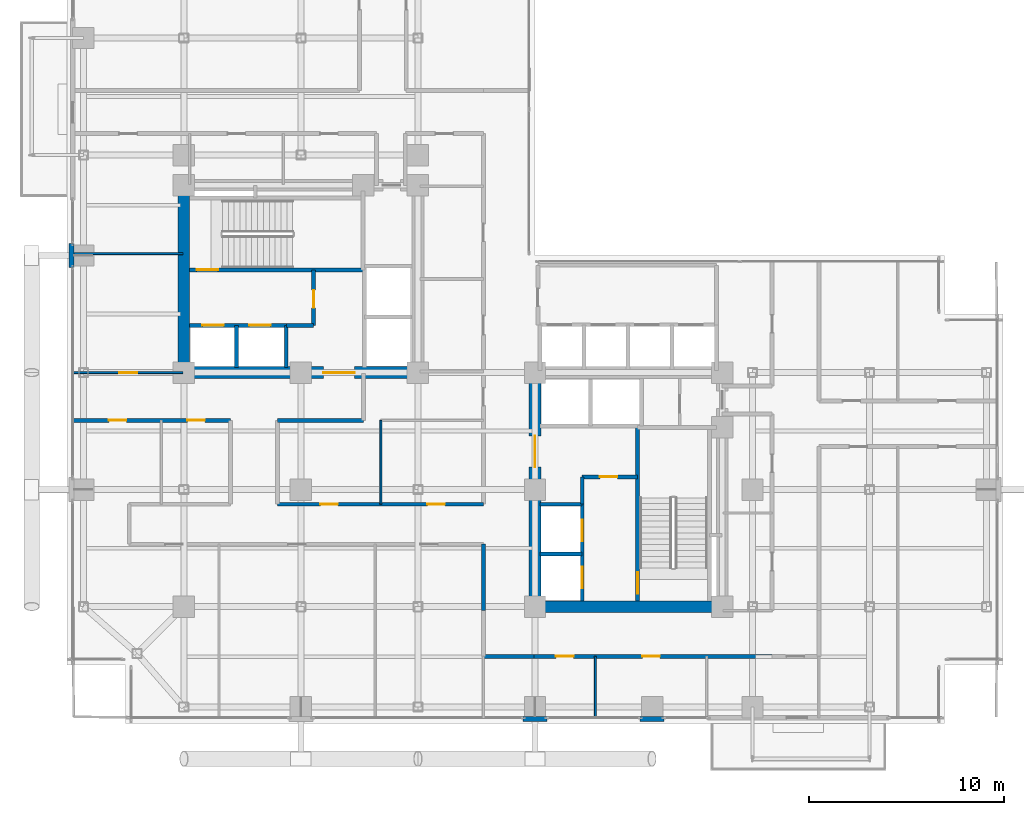
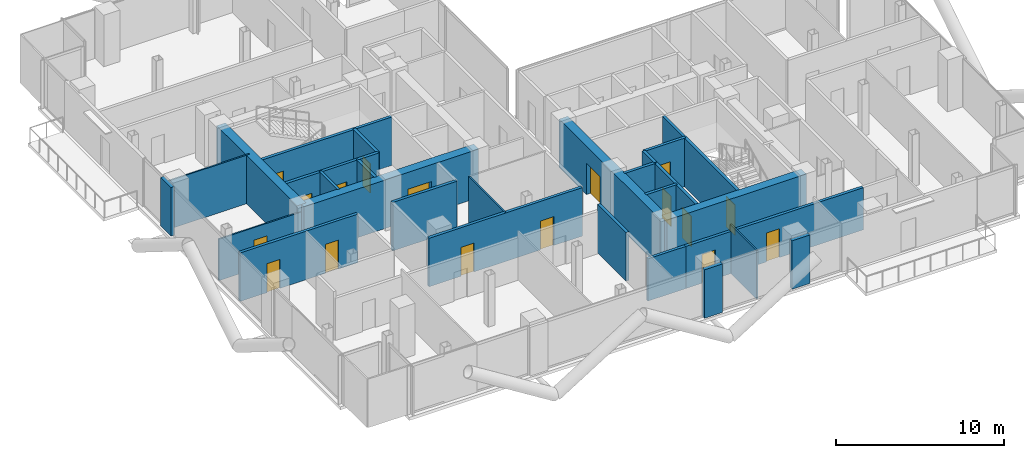
# One storey, part 22 of 28: 29 walls, 17 doors, 17 openings.
"""IFC4 building model written with IfcOpenShell, lengths in metres."""

from ifc_helpers import new_model, si_unit, direction, frame, frame_2d, origin, place, context, subcontext, project, spatial, rectangle, extrude, material, layer, layer_set, type_object, element, fill, save


model = new_model("IFC4")

# Units and contexts
model_context = context("Model", 3, precision=1e-05, world=origin(), true_north=direction((0.0, 1.0)))
body_context = subcontext(model_context, "Body", "Model", "MODEL_VIEW")
ifc_project = project(units=[si_unit("LENGTHUNIT", "METRE"), si_unit("AREAUNIT", "SQUARE_METRE"), si_unit("VOLUMEUNIT", "CUBIC_METRE"), si_unit("PLANEANGLEUNIT", "RADIAN"), si_unit("MASSUNIT", "GRAM", prefix="KILO"), si_unit("THERMODYNAMICTEMPERATUREUNIT", "KELVIN"), si_unit("POWERUNIT", "WATT")], contexts=[model_context])

# Site, building, storey
site_placement = place(None, origin())
site = spatial("IfcSite", under=ifc_project, at=site_placement, CompositionType="ELEMENT")
building_placement = place(site_placement, origin())
building = spatial("IfcBuilding", under=site, at=building_placement, Name="Svarakhadi Broadcast Tower", CompositionType="ELEMENT")
storey_placement = place(building_placement, frame((0.0, 0.0, 138.14990234375)))
storey = spatial("IfcBuildingStorey", under=building, at=storey_placement, Name="L33", CompositionType="ELEMENT", Elevation=138.14990234375)

# Wall, openings, doors
ifc_material_1 = material(Name="Double-Stud Acoustic Studio Partition STC-62", Category="gypsum")
ifc_layer_1 = layer(ifc_material_1, 0.199951171875)
ifc_layer_set_1 = layer_set([ifc_layer_1], Name="Double-Stud Acoustic Studio Partition STC-62")
wall_type_1 = type_object("IfcWallType", Name="Wall_Acoust_200", PredefinedType="PARTITIONING", material=ifc_layer_set_1)
wall_1_placement = place(storey_placement, frame((36.14990234375, 3.449951171875, 0.0), z_axis=(0.0, 0.0, 1.0), x_axis=(-1.0, 0.0, 0.0)))
wall_1 = element("IfcWall", 1, at=wall_1_placement, inside=storey, type_object=wall_type_1, Name="L33 Zone 2/3 Corridor Wall", PredefinedType="PARTITIONING", context=body_context, shape_type="SweptSolid", body=[
    extrude(rectangle(XDim=12.199951171875, YDim=0.199951171875, at=frame_2d((6.10009765625, 0.0))), origin(), (0.0, 0.0, 1.0), 3.067138671875),
])
opening_1_placement = place(wall_1_placement, frame((10.175048828125, 0.0, 0.0)))
opening_1 = element("IfcOpeningElement", 2, at=opening_1_placement, cuts=wall_1, Name="Opening D-14", PredefinedType="OPENING", context=body_context, shape_type="SweptSolid", body=[
    extrude(rectangle(XDim=0.89990234375, YDim=2.10009765625, at=frame_2d((0.449951171875, 1.050048828125))), frame((0.0, 0.10986328125, 0.0), z_axis=(0.0, -1.0, 0.0), x_axis=(1.0, 0.0, 0.0)), (0.0, 0.0, 1.0), 0.219970703125),
])
opening_2_placement = place(wall_1_placement, frame((5.75, 0.0, 0.0)))
opening_2 = element("IfcOpeningElement", 3, at=opening_2_placement, cuts=wall_1, Name="Opening D-15", PredefinedType="OPENING", context=body_context, shape_type="SweptSolid", body=[
    extrude(rectangle(XDim=0.89990234375, YDim=2.10009765625, at=frame_2d((0.449951171875, 1.050048828125))), frame((0.0, 0.10986328125, 0.0), z_axis=(0.0, -1.0, 0.0), x_axis=(1.0, 0.0, 0.0)), (0.0, 0.0, 1.0), 0.219970703125),
])
ifc_material_2 = material(Name="Solid-Core Teak Veneer Acoustic Timber Leaf", Category="wood")
door_type_1 = type_object("IfcDoorType", Name="Door_Int_D14", OperationType="SINGLE_SWING_LEFT", PredefinedType="DOOR", material=ifc_material_2)
door_1_placement = place(opening_1_placement, origin())
door_1 = element("IfcDoor", 4, at=door_1_placement, inside=storey, type_object=door_type_1, Name="L33 Harbour Front Production Office Door", OperationType="SINGLE_SWING_LEFT", OverallHeight=2.10009765625, OverallWidth=0.89990234375, PredefinedType="DOOR", context=body_context, shape_type="SweptSolid", body=[
    extrude(rectangle(XDim=0.89990234375, YDim=2.10009765625, at=frame_2d((0.449951171875, 1.050048828125))), frame((0.0, 0.02490234375, 0.0), z_axis=(0.0, -1.0, 0.0), x_axis=(1.0, 0.0, 0.0)), (0.0, 0.0, 1.0), 0.050048828125),
])
fill(opening_1, door_1)
door_type_2 = type_object("IfcDoorType", Name="Door_Int_D15", OperationType="SINGLE_SWING_RIGHT", PredefinedType="DOOR", material=ifc_material_2)
door_2_placement = place(opening_2_placement, origin())
door_2 = element("IfcDoor", 5, at=door_2_placement, inside=storey, type_object=door_type_2, Name="L33 Client Preview Briefing Room Door", OperationType="SINGLE_SWING_RIGHT", OverallHeight=2.10009765625, OverallWidth=0.89990234375, PredefinedType="DOOR", context=body_context, shape_type="SweptSolid", body=[
    extrude(rectangle(XDim=0.89990234375, YDim=2.10009765625, at=frame_2d((0.449951171875, 1.050048828125))), frame((0.0, 0.02490234375, 0.0), z_axis=(0.0, -1.0, 0.0), x_axis=(1.0, 0.0, 0.0)), (0.0, 0.0, 1.0), 0.050048828125),
])
fill(opening_2, door_2)

# Walls
wall_2_placement = place(storey_placement, frame((23.949951171875, 3.449951171875, 0.0), z_axis=(0.0, 0.0, 1.0), x_axis=(-1.0, 0.0, 0.0)))
element("IfcWall", 6, at=wall_2_placement, inside=storey, type_object=wall_type_1, Name="L33 Zone 2/3 Corridor Wall", PredefinedType="PARTITIONING", context=body_context, shape_type="SweptSolid", body=[
    extrude(rectangle(XDim=2.599853515625, YDim=0.199951171875, at=frame_2d((1.2998046875, 0.0))), origin(), (0.0, 0.0, 1.0), 3.067138671875),
])
wall_3_placement = place(storey_placement, frame((21.35009765625, 5.800048828125, 0.0), z_axis=(0.0, 0.0, 1.0), x_axis=(0.0, 1.0, 0.0)))
element("IfcWall", 7, at=wall_3_placement, inside=storey, type_object=wall_type_1, Name="L33 Zone 2/3 Corridor Wall", PredefinedType="PARTITIONING", context=body_context, shape_type="SweptSolid", body=[
    extrude(rectangle(XDim=3.39990234375, YDim=0.199951171875, at=frame_2d((1.699951171875, 0.0))), origin(), (0.0, 0.0, 1.0), 3.525146484375),
])

# Wall, openings, doors
wall_4_placement = place(storey_placement, frame((8.39990234375, 15.550048828125, 0.0), z_axis=(0.0, 0.0, 1.0), x_axis=(-1.0, 0.0, 0.0)))
wall_4 = element("IfcWall", 8, at=wall_4_placement, inside=storey, type_object=wall_type_1, Name="L33 Zone 2/3 Corridor Wall", PredefinedType="PARTITIONING", context=body_context, shape_type="SweptSolid", body=[
    extrude(rectangle(XDim=8.099853515625, YDim=0.199951171875, at=frame_2d((4.0498046875, 0.0))), origin(), (0.0, 0.0, 1.0), 3.525146484375),
])
opening_3_placement = place(wall_4_placement, frame((5.35009765625, 0.0, 0.0)))
opening_3 = element("IfcOpeningElement", 9, at=opening_3_placement, cuts=wall_4, Name="Opening D-15", PredefinedType="OPENING", context=body_context, shape_type="SweptSolid", body=[
    extrude(rectangle(XDim=0.89990234375, YDim=2.10009765625, at=frame_2d((0.449951171875, 1.050048828125))), frame((0.0, 0.10986328125, 0.0), z_axis=(0.0, -1.0, 0.0), x_axis=(1.0, 0.0, 0.0)), (0.0, 0.0, 1.0), 0.219970703125),
])
opening_4_placement = place(wall_4_placement, frame((1.324951171875, 0.0, 0.0)))
opening_4 = element("IfcOpeningElement", 10, at=opening_4_placement, cuts=wall_4, Name="Opening D-14", PredefinedType="OPENING", context=body_context, shape_type="SweptSolid", body=[
    extrude(rectangle(XDim=0.89990234375, YDim=2.10009765625, at=frame_2d((0.449951171875, 1.050048828125))), frame((0.0, 0.10986328125, 0.0), z_axis=(0.0, -1.0, 0.0), x_axis=(1.0, 0.0, 0.0)), (0.0, 0.0, 1.0), 0.219970703125),
])
door_3_placement = place(opening_4_placement, origin())
door_3 = element("IfcDoor", 11, at=door_3_placement, inside=storey, type_object=door_type_1, Name="L33 Pipeline Engineer Office Door", OperationType="SINGLE_SWING_LEFT", OverallHeight=2.10009765625, OverallWidth=0.89990234375, PredefinedType="DOOR", context=body_context, shape_type="SweptSolid", body=[
    extrude(rectangle(XDim=0.89990234375, YDim=2.10009765625, at=frame_2d((0.449951171875, 1.050048828125))), frame((0.0, 0.02490234375, 0.0), z_axis=(0.0, -1.0, 0.0), x_axis=(1.0, 0.0, 0.0)), (0.0, 0.0, 1.0), 0.050048828125),
])
fill(opening_4, door_3)
door_4_placement = place(opening_3_placement, origin())
door_4 = element("IfcDoor", 12, at=door_4_placement, inside=storey, type_object=door_type_2, Name="L33 Photogrammetry Rig Room Door", OperationType="SINGLE_SWING_RIGHT", OverallHeight=2.10009765625, OverallWidth=0.89990234375, PredefinedType="DOOR", context=body_context, shape_type="SweptSolid", body=[
    extrude(rectangle(XDim=0.89990234375, YDim=2.10009765625, at=frame_2d((0.449951171875, 1.050048828125))), frame((0.0, 0.02490234375, 0.0), z_axis=(0.0, -1.0, 0.0), x_axis=(1.0, 0.0, 0.0)), (0.0, 0.0, 1.0), 0.050048828125),
])
fill(opening_3, door_4)

# Wall
wall_5_placement = place(storey_placement, frame((15.199951171875, 15.550048828125, 0.0), z_axis=(0.0, 0.0, 1.0), x_axis=(-1.0, 0.0, 0.0)))
element("IfcWall", 13, at=wall_5_placement, inside=storey, type_object=wall_type_1, Name="L33 Zone 2/3 Corridor Wall", PredefinedType="PARTITIONING", context=body_context, shape_type="SweptSolid", body=[
    extrude(rectangle(XDim=4.39990234375, YDim=0.199951171875, at=frame_2d((2.199951171875, 0.0))), origin(), (0.0, 0.0, 1.0), 3.525146484375),
])

# Wall, openings, doors
wall_6_placement = place(storey_placement, frame((10.800048828125, 11.25, 0.0), z_axis=(0.0, 0.0, 1.0), x_axis=(1.0, 0.0, 0.0)))
wall_6 = element("IfcWall", 14, at=wall_6_placement, inside=storey, type_object=wall_type_1, Name="L33 Zone 2/3 Corridor Wall", PredefinedType="PARTITIONING", context=body_context, shape_type="SweptSolid", body=[
    extrude(rectangle(XDim=10.550048828125, YDim=0.199951171875, at=frame_2d((5.27490234375, 0.0))), origin(), (0.0, 0.0, 1.0), 3.525146484375),
])
opening_5_placement = place(wall_6_placement, frame((2.199951171875, 0.0, 0.0)))
opening_5 = element("IfcOpeningElement", 15, at=opening_5_placement, cuts=wall_6, Name="Opening D-15", PredefinedType="OPENING", context=body_context, shape_type="SweptSolid", body=[
    extrude(rectangle(XDim=0.89990234375, YDim=2.10009765625, at=frame_2d((0.449951171875, 1.050048828125))), frame((0.0, 0.10986328125, 0.0), z_axis=(0.0, -1.0, 0.0), x_axis=(1.0, 0.0, 0.0)), (0.0, 0.0, 1.0), 0.219970703125),
])
opening_6_placement = place(wall_6_placement, frame((7.679931640625, 0.0, 0.0)))
opening_6 = element("IfcOpeningElement", 16, at=opening_6_placement, cuts=wall_6, Name="Opening D-13", PredefinedType="OPENING", context=body_context, shape_type="SweptSolid", body=[
    extrude(rectangle(XDim=0.89990234375, YDim=2.10009765625, at=frame_2d((0.449951171875, 1.050048828125))), frame((0.0, 0.10986328125, 0.0), z_axis=(0.0, -1.0, 0.0), x_axis=(1.0, 0.0, 0.0)), (0.0, 0.0, 1.0), 0.219970703125),
])
door_type_3 = type_object("IfcDoorType", Name="Door_Closet_D13", OperationType="SINGLE_SWING_RIGHT", PredefinedType="DOOR", material=ifc_material_2)
door_5_placement = place(opening_6_placement, origin())
door_5 = element("IfcDoor", 17, at=door_5_placement, inside=storey, type_object=door_type_3, Name="L33 Accessible Floor Washroom WC Door", OperationType="SINGLE_SWING_RIGHT", OverallHeight=2.10009765625, OverallWidth=0.89990234375, PredefinedType="DOOR", context=body_context, shape_type="SweptSolid", body=[
    extrude(rectangle(XDim=0.89990234375, YDim=2.10009765625, at=frame_2d((0.449951171875, 1.050048828125))), frame((0.0, 0.02490234375, 0.0), z_axis=(0.0, -1.0, 0.0), x_axis=(1.0, 0.0, 0.0)), (0.0, 0.0, 1.0), 0.050048828125),
])
fill(opening_6, door_5)
door_6_placement = place(opening_5_placement, origin())
door_6 = element("IfcDoor", 18, at=door_6_placement, inside=storey, type_object=door_type_2, Name="L33 Central Review Briefing Pod Door", OperationType="SINGLE_SWING_RIGHT", OverallHeight=2.10009765625, OverallWidth=0.89990234375, PredefinedType="DOOR", context=body_context, shape_type="SweptSolid", body=[
    extrude(rectangle(XDim=0.89990234375, YDim=2.10009765625, at=frame_2d((0.449951171875, 1.050048828125))), frame((0.0, 0.02490234375, 0.0), z_axis=(0.0, -1.0, 0.0), x_axis=(1.0, 0.0, 0.0)), (0.0, 0.0, 1.0), 0.050048828125),
])
fill(opening_5, door_6)

# Walls
ifc_material_3 = material(Name="Concrete C40/50 (IS 456 M50)", Category="concrete")
ifc_layer_2 = layer(ifc_material_3, 0.239990234375)
ifc_layer_set_2 = layer_set([ifc_layer_2], Name="Concrete C40/50 (IS 456 M50)")
wall_type_2 = type_object("IfcWallType", Name="Wall_Ext_240", PredefinedType="SOLIDWALL", material=ifc_layer_set_2)
for number, where, z_axis, x_axis, name in (
    (19, (0.239990234375, 23.385009765625, 0.0), (0.0, 0.0, 1.0), (0.0, 1.0, 0.0), "L33 Perimeter Bronze Spandrel Closure Wall 02"),
    (20, (30.614990234375, 0.239990234375, 0.0), (0.0, 0.0, 1.0), (-1.0, 0.0, 0.0), "L33 Perimeter Bronze Spandrel Closure Wall 06"),
    (21, (24.614990234375, 0.239990234375, 0.0), (0.0, 0.0, 1.0), (-1.0, 0.0, 0.0), "L33 Perimeter Bronze Spandrel Closure Wall 07"),
):
    element("IfcWall", number, at=place(storey_placement, frame(where, z_axis=z_axis, x_axis=x_axis)), inside=storey, type_object=wall_type_2, Name=name, PredefinedType="SOLIDWALL", context=body_context, shape_type="SweptSolid", body=[
        extrude(rectangle(XDim=1.22998046875, YDim=0.239990234375, at=frame_2d((0.614990234375, 0.0))), origin(), (0.0, 0.0, 1.0), 3.525146484375),
    ])
ifc_material_4 = material(Name="Fire-Rated Moisture-Resistant Gypsum Board Partition", Category="gypsum")
ifc_layer_3 = layer(ifc_material_4, 0.10009765625)
ifc_layer_set_3 = layer_set([ifc_layer_3], Name="Fire-Rated Moisture-Resistant Gypsum Board Partition")
wall_type_3 = type_object("IfcWallType", Name="Wall_Part_100", PredefinedType="PARTITIONING", material=ifc_layer_set_3)
wall_7_placement = place(storey_placement, frame((16.10009765625, 11.25, 0.0), z_axis=(0.0, 0.0, 1.0), x_axis=(0.0, 1.0, 0.0)))
element("IfcWall", 22, at=wall_7_placement, inside=storey, type_object=wall_type_3, Name="L33 Central Review Briefing Pod Wall", PredefinedType="PARTITIONING", context=body_context, shape_type="SweptSolid", body=[
    extrude(rectangle(XDim=4.300048828125, YDim=0.10009765625, at=frame_2d((2.14990234375, 0.0))), origin(), (0.0, 0.0, 1.0), 3.525146484375),
])

# Wall, opening, door
wall_8_placement = place(storey_placement, frame((0.300048828125, 18.0, 0.0), z_axis=(0.0, 0.0, 1.0), x_axis=(1.0, 0.0, 0.0)))
wall_8 = element("IfcWall", 23, at=wall_8_placement, inside=storey, type_object=wall_type_3, Name="L33 Arabian Sea Executive Studio Wall", PredefinedType="PARTITIONING", context=body_context, shape_type="SweptSolid", body=[
    extrude(rectangle(XDim=5.64990234375, YDim=0.10009765625, at=frame_2d((2.824951171875, 0.0))), origin(), (0.0, 0.0, 1.0), 3.01708984375),
])
opening_7_placement = place(wall_8_placement, frame((2.39990234375, 0.0, 0.0)))
opening_7 = element("IfcOpeningElement", 24, at=opening_7_placement, cuts=wall_8, Name="Opening D-14", PredefinedType="OPENING", context=body_context, shape_type="SweptSolid", body=[
    extrude(rectangle(XDim=0.89990234375, YDim=2.10009765625, at=frame_2d((0.449951171875, 1.050048828125))), frame((0.0, 0.06005859375, 0.0), z_axis=(0.0, -1.0, 0.0), x_axis=(1.0, 0.0, 0.0)), (0.0, 0.0, 1.0), 0.1201171875),
])
door_7_placement = place(opening_7_placement, origin())
door_7 = element("IfcDoor", 25, at=door_7_placement, inside=storey, type_object=door_type_1, Name="L33 Arabian Sea Executive Studio Door", OperationType="SINGLE_SWING_LEFT", OverallHeight=2.10009765625, OverallWidth=0.89990234375, PredefinedType="DOOR", context=body_context, shape_type="SweptSolid", body=[
    extrude(rectangle(XDim=0.89990234375, YDim=2.10009765625, at=frame_2d((0.449951171875, 1.050048828125))), frame((0.0, 0.02490234375, 0.0), z_axis=(0.0, -1.0, 0.0), x_axis=(1.0, 0.0, 0.0)), (0.0, 0.0, 1.0), 0.050048828125),
])
fill(opening_7, door_7)

# Walls
wall_9_placement = place(storey_placement, frame((0.300048828125, 24.10009765625, 0.0), z_axis=(0.0, 0.0, 1.0), x_axis=(1.0, 0.0, 0.0)))
element("IfcWall", 26, at=wall_9_placement, inside=storey, type_object=wall_type_3, Name="L33 Arabian Sea Executive Studio Wall", PredefinedType="PARTITIONING", context=body_context, shape_type="SweptSolid", body=[
    extrude(rectangle(XDim=5.64990234375, YDim=0.10009765625, at=frame_2d((2.824951171875, 0.0))), origin(), (0.0, 0.0, 1.0), 3.525146484375),
])
wall_10_placement = place(storey_placement, frame((27.10009765625, 0.300048828125, 0.0), z_axis=(0.0, 0.0, 1.0), x_axis=(0.0, 1.0, 0.0)))
element("IfcWall", 27, at=wall_10_placement, inside=storey, type_object=wall_type_3, Name="L33 Harbour Front Production Office Wall", PredefinedType="PARTITIONING", context=body_context, shape_type="SweptSolid", body=[
    extrude(rectangle(XDim=3.14990234375, YDim=0.10009765625, at=frame_2d((1.574951171875, 0.0))), origin(), (0.0, 0.0, 1.0), 3.525146484375),
])

# Wall, opening, door
ifc_material_5 = material(Name="Concrete C50/60 (IS 456 M60)", Category="concrete")
ifc_layer_4 = layer(ifc_material_5, 0.199951171875)
ifc_layer_set_4 = layer_set([ifc_layer_4], Name="Concrete C50/60 (IS 456 M60)")
wall_type_4 = type_object("IfcWallType", Name="Wall_Shear_200", PredefinedType="SHEAR", material=ifc_layer_set_4)
wall_11_placement = place(storey_placement, frame((6.300048828125, 23.260009765625, 0.0), z_axis=(0.0, 0.0, 1.0), x_axis=(1.0, 0.0, 0.0)))
wall_11 = element("IfcWall", 28, at=wall_11_placement, inside=storey, type_object=wall_type_4, Name="L33 Stair ST-01 South RC Shaft Wall", PredefinedType="SHEAR", context=body_context, shape_type="SweptSolid", body=[
    extrude(rectangle(XDim=8.8798828125, YDim=0.199951171875, at=frame_2d((4.43994140625, 0.0))), origin(), (0.0, 0.0, 1.0), 3.525146484375),
])
opening_8_placement = place(wall_11_placement, frame((0.35009765625, 0.0, 0.0)))
opening_8 = element("IfcOpeningElement", 29, at=opening_8_placement, cuts=wall_11, Name="Opening D-01", PredefinedType="OPENING", context=body_context, shape_type="SweptSolid", body=[
    extrude(rectangle(XDim=1.10009765625, YDim=2.199951171875, at=frame_2d((0.550048828125, 1.10009765625))), frame((0.0, 0.10986328125, 0.0), z_axis=(0.0, -1.0, 0.0), x_axis=(1.0, 0.0, 0.0)), (0.0, 0.0, 1.0), 0.219970703125),
])
ifc_material_6 = material(Name="Galvanised Powder-Coated Fire-Rated Steel Leaf", Category="steel")
door_type_4 = type_object("IfcDoorType", Name="Door_Stair_D01", OperationType="SINGLE_SWING_LEFT", PredefinedType="DOOR", material=ifc_material_6)
door_8_placement = place(opening_8_placement, origin())
door_8 = element("IfcDoor", 30, at=door_8_placement, inside=storey, type_object=door_type_4, Name="L33 Protected Exit Stair ST-01 Fire Door", OperationType="SINGLE_SWING_LEFT", OverallHeight=2.199951171875, OverallWidth=1.10009765625, PredefinedType="DOOR", context=body_context, shape_type="SweptSolid", body=[
    extrude(rectangle(XDim=1.10009765625, YDim=2.199951171875, at=frame_2d((0.550048828125, 1.10009765625))), frame((0.0, 0.02490234375, 0.0), z_axis=(0.0, -1.0, 0.0), x_axis=(1.0, 0.0, 0.0)), (0.0, 0.0, 1.0), 0.050048828125),
])
fill(opening_8, door_8)

wall_12_placement = place(storey_placement, frame((29.260009765625, 6.300048828125, 0.0), z_axis=(0.0, 0.0, 1.0), x_axis=(0.0, 1.0, 0.0)))
wall_12 = element("IfcWall", 31, at=wall_12_placement, inside=storey, type_object=wall_type_4, Name="L33 Stair ST-02 West RC Shaft Wall", PredefinedType="SHEAR", context=body_context, shape_type="SweptSolid", body=[
    extrude(rectangle(XDim=8.8798828125, YDim=0.199951171875, at=frame_2d((4.43994140625, 0.0))), origin(), (0.0, 0.0, 1.0), 3.525146484375),
])
opening_9_placement = place(wall_12_placement, frame((0.35009765625, 0.0, 0.0)))
opening_9 = element("IfcOpeningElement", 32, at=opening_9_placement, cuts=wall_12, Name="Opening D-02", PredefinedType="OPENING", context=body_context, shape_type="SweptSolid", body=[
    extrude(rectangle(XDim=1.10009765625, YDim=2.199951171875, at=frame_2d((0.550048828125, 1.10009765625))), frame((0.0, 0.10986328125, 0.0), z_axis=(0.0, -1.0, 0.0), x_axis=(1.0, 0.0, 0.0)), (0.0, 0.0, 1.0), 0.219970703125),
])
door_type_5 = type_object("IfcDoorType", Name="Door_Stair_D02", OperationType="SINGLE_SWING_RIGHT", PredefinedType="DOOR", material=ifc_material_6)
door_9_placement = place(opening_9_placement, origin())
door_9 = element("IfcDoor", 33, at=door_9_placement, inside=storey, type_object=door_type_5, Name="L33 Protected Exit Stair ST-02 Fire Door", OperationType="SINGLE_SWING_RIGHT", OverallHeight=2.199951171875, OverallWidth=1.10009765625, PredefinedType="DOOR", context=body_context, shape_type="SweptSolid", body=[
    extrude(rectangle(XDim=1.10009765625, YDim=2.199951171875, at=frame_2d((0.550048828125, 1.10009765625))), frame((0.0, 0.02490234375, 0.0), z_axis=(0.0, -1.0, 0.0), x_axis=(1.0, 0.0, 0.0)), (0.0, 0.0, 1.0), 0.050048828125),
])
fill(opening_9, door_9)

# Wall, openings, doors
wall_13_placement = place(storey_placement, frame((6.300048828125, 20.419921875, 0.0), z_axis=(0.0, 0.0, 1.0), x_axis=(1.0, 0.0, 0.0)))
wall_13 = element("IfcWall", 34, at=wall_13_placement, inside=storey, type_object=wall_type_4, Name="L33 Firefighting Lift LF-01/02 Shaft Wall", PredefinedType="SHEAR", context=body_context, shape_type="SweptSolid", body=[
    extrude(rectangle(XDim=4.949951171875, YDim=0.199951171875, at=frame_2d((2.47509765625, 0.0))), origin(), (0.0, 0.0, 1.0), 3.525146484375),
])
opening_10_placement = place(wall_13_placement, frame((0.64990234375, 0.0, 0.0)))
opening_10 = element("IfcOpeningElement", 35, at=opening_10_placement, cuts=wall_13, Name="Opening LD-01", PredefinedType="OPENING", context=body_context, shape_type="SweptSolid", body=[
    extrude(rectangle(XDim=1.10009765625, YDim=2.199951171875, at=frame_2d((0.550048828125, 1.10009765625))), frame((0.0, 0.10986328125, 0.0), z_axis=(0.0, -1.0, 0.0), x_axis=(1.0, 0.0, 0.0)), (0.0, 0.0, 1.0), 0.219970703125),
])
opening_11_placement = place(wall_13_placement, frame((3.050048828125, 0.0, 0.0)))
opening_11 = element("IfcOpeningElement", 36, at=opening_11_placement, cuts=wall_13, Name="Opening LD-01", PredefinedType="OPENING", context=body_context, shape_type="SweptSolid", body=[
    extrude(rectangle(XDim=1.10009765625, YDim=2.199951171875, at=frame_2d((0.550048828125, 1.10009765625))), frame((0.0, 0.10986328125, 0.0), z_axis=(0.0, -1.0, 0.0), x_axis=(1.0, 0.0, 0.0)), (0.0, 0.0, 1.0), 0.219970703125),
])
door_type_6 = type_object("IfcDoorType", Name="Door_Lift_LD01", OperationType="SLIDING_TO_LEFT", PredefinedType="DOOR", material=ifc_material_6)
door_10_placement = place(opening_10_placement, origin())
door_10 = element("IfcDoor", 37, at=door_10_placement, inside=storey, type_object=door_type_6, Name="L33 Firefighting Lift LF-01 Landing Door", OperationType="SLIDING_TO_LEFT", OverallHeight=2.199951171875, OverallWidth=1.10009765625, PredefinedType="DOOR", context=body_context, shape_type="SweptSolid", body=[
    extrude(rectangle(XDim=1.10009765625, YDim=2.199951171875, at=frame_2d((0.550048828125, 1.10009765625))), frame((0.0, 0.02490234375, 0.0), z_axis=(0.0, -1.0, 0.0), x_axis=(1.0, 0.0, 0.0)), (0.0, 0.0, 1.0), 0.050048828125),
])
fill(opening_10, door_10)
door_11_placement = place(opening_11_placement, origin())
door_11 = element("IfcDoor", 38, at=door_11_placement, inside=storey, type_object=door_type_6, Name="L33 Firefighting Lift LF-02 Landing Door", OperationType="SLIDING_TO_LEFT", OverallHeight=2.199951171875, OverallWidth=1.10009765625, PredefinedType="DOOR", context=body_context, shape_type="SweptSolid", body=[
    extrude(rectangle(XDim=1.10009765625, YDim=2.199951171875, at=frame_2d((0.550048828125, 1.10009765625))), frame((0.0, 0.02490234375, 0.0), z_axis=(0.0, -1.0, 0.0), x_axis=(1.0, 0.0, 0.0)), (0.0, 0.0, 1.0), 0.050048828125),
])
fill(opening_11, door_11)

# Walls
for number, where, z_axis, x_axis, name in (
    (39, (8.699951171875, 18.25, 0.0), (0.0, 0.0, 1.0), (0.0, 1.0, 0.0), "L33 Firefighting Lift LF-01/02 Divider Wall"),
    (40, (11.25, 18.25, 0.0), (0.0, 0.0, 1.0), (0.0, 1.0, 0.0), "L33 Firefighting Lift LF-02 East Wall"),
):
    element("IfcWall", number, at=place(storey_placement, frame(where, z_axis=z_axis, x_axis=x_axis)), inside=storey, type_object=wall_type_4, Name=name, PredefinedType="SHEAR", context=body_context, shape_type="SweptSolid", body=[
        extrude(rectangle(XDim=2.169921875, YDim=0.199951171875, at=frame_2d((1.0849609375, 0.0))), origin(), (0.0, 0.0, 1.0), 3.525146484375),
    ])
wall_14_placement = place(storey_placement, frame((11.25, 20.419921875, 0.0), z_axis=(0.0, 0.0, 1.0), x_axis=(1.0, 0.0, 0.0)))
element("IfcWall", 41, at=wall_14_placement, inside=storey, type_object=wall_type_4, Name="L33 West Firefighting Lobby South Wall", PredefinedType="SHEAR", context=body_context, shape_type="SweptSolid", body=[
    extrude(rectangle(XDim=1.39990234375, YDim=0.199951171875, at=frame_2d((0.699951171875, 0.0))), origin(), (0.0, 0.0, 1.0), 3.525146484375),
])

# Wall, opening, door
wall_15_placement = place(storey_placement, frame((12.64990234375, 20.419921875, 0.0), z_axis=(0.0, 0.0, 1.0), x_axis=(0.0, 1.0, 0.0)))
wall_15 = element("IfcWall", 42, at=wall_15_placement, inside=storey, type_object=wall_type_4, Name="L33 West Firefighting Lobby East Wall", PredefinedType="SHEAR", context=body_context, shape_type="SweptSolid", body=[
    extrude(rectangle(XDim=2.840087890625, YDim=0.199951171875, at=frame_2d((1.419921875, 0.0))), origin(), (0.0, 0.0, 1.0), 3.525146484375),
])
opening_12_placement = place(wall_15_placement, frame((0.89990234375, 0.0, 0.0)))
opening_12 = element("IfcOpeningElement", 43, at=opening_12_placement, cuts=wall_15, Name="Opening D-03", PredefinedType="OPENING", context=body_context, shape_type="SweptSolid", body=[
    extrude(rectangle(XDim=0.89990234375, YDim=2.14990234375, at=frame_2d((0.449951171875, 1.074951171875))), frame((0.0, 0.10986328125, 0.0), z_axis=(0.0, -1.0, 0.0), x_axis=(1.0, 0.0, 0.0)), (0.0, 0.0, 1.0), 0.219970703125),
])
door_type_7 = type_object("IfcDoorType", Name="Door_Fire_D03", OperationType="SINGLE_SWING_LEFT", PredefinedType="DOOR", material=ifc_material_6)
door_12_placement = place(opening_12_placement, origin())
door_12 = element("IfcDoor", 44, at=door_12_placement, inside=storey, type_object=door_type_7, Name="L33 West Firefighting Lobby Fire Door", OperationType="SINGLE_SWING_LEFT", OverallHeight=2.14990234375, OverallWidth=0.89990234375, PredefinedType="DOOR", context=body_context, shape_type="SweptSolid", body=[
    extrude(rectangle(XDim=0.89990234375, YDim=2.14990234375, at=frame_2d((0.449951171875, 1.074951171875))), frame((0.0, 0.02490234375, 0.0), z_axis=(0.0, -1.0, 0.0), x_axis=(1.0, 0.0, 0.0)), (0.0, 0.0, 1.0), 0.050048828125),
])
fill(opening_12, door_12)

# Wall, openings, doors
wall_16_placement = place(storey_placement, frame((26.419921875, 6.300048828125, 0.0), z_axis=(0.0, 0.0, 1.0), x_axis=(0.0, 1.0, 0.0)))
wall_16 = element("IfcWall", 45, at=wall_16_placement, inside=storey, type_object=wall_type_4, Name="L33 Firefighting Lift LF-03/04 Shaft Wall", PredefinedType="SHEAR", context=body_context, shape_type="SweptSolid", body=[
    extrude(rectangle(XDim=4.949951171875, YDim=0.199951171875, at=frame_2d((2.47509765625, 0.0))), origin(), (0.0, 0.0, 1.0), 3.525146484375),
])
opening_13_placement = place(wall_16_placement, frame((0.64990234375, 0.0, 0.0)))
opening_13 = element("IfcOpeningElement", 46, at=opening_13_placement, cuts=wall_16, Name="Opening LD-01", PredefinedType="OPENING", context=body_context, shape_type="SweptSolid", body=[
    extrude(rectangle(XDim=1.10009765625, YDim=2.199951171875, at=frame_2d((0.550048828125, 1.10009765625))), frame((0.0, 0.10986328125, 0.0), z_axis=(0.0, -1.0, 0.0), x_axis=(1.0, 0.0, 0.0)), (0.0, 0.0, 1.0), 0.219970703125),
])
opening_14_placement = place(wall_16_placement, frame((3.050048828125, 0.0, 0.0)))
opening_14 = element("IfcOpeningElement", 47, at=opening_14_placement, cuts=wall_16, Name="Opening LD-01", PredefinedType="OPENING", context=body_context, shape_type="SweptSolid", body=[
    extrude(rectangle(XDim=1.10009765625, YDim=2.199951171875, at=frame_2d((0.550048828125, 1.10009765625))), frame((0.0, 0.10986328125, 0.0), z_axis=(0.0, -1.0, 0.0), x_axis=(1.0, 0.0, 0.0)), (0.0, 0.0, 1.0), 0.219970703125),
])
door_13_placement = place(opening_13_placement, origin())
door_13 = element("IfcDoor", 48, at=door_13_placement, inside=storey, type_object=door_type_6, Name="L33 Firefighting Lift LF-03 Landing Door", OperationType="SLIDING_TO_LEFT", OverallHeight=2.199951171875, OverallWidth=1.10009765625, PredefinedType="DOOR", context=body_context, shape_type="SweptSolid", body=[
    extrude(rectangle(XDim=1.10009765625, YDim=2.199951171875, at=frame_2d((0.550048828125, 1.10009765625))), frame((0.0, 0.02490234375, 0.0), z_axis=(0.0, -1.0, 0.0), x_axis=(1.0, 0.0, 0.0)), (0.0, 0.0, 1.0), 0.050048828125),
])
fill(opening_13, door_13)
door_14_placement = place(opening_14_placement, origin())
door_14 = element("IfcDoor", 49, at=door_14_placement, inside=storey, type_object=door_type_6, Name="L33 Firefighting Lift LF-04 Landing Door", OperationType="SLIDING_TO_LEFT", OverallHeight=2.199951171875, OverallWidth=1.10009765625, PredefinedType="DOOR", context=body_context, shape_type="SweptSolid", body=[
    extrude(rectangle(XDim=1.10009765625, YDim=2.199951171875, at=frame_2d((0.550048828125, 1.10009765625))), frame((0.0, 0.02490234375, 0.0), z_axis=(0.0, -1.0, 0.0), x_axis=(1.0, 0.0, 0.0)), (0.0, 0.0, 1.0), 0.050048828125),
])
fill(opening_14, door_14)

# Walls
for number, where, z_axis, x_axis, name in (
    (50, (24.25, 8.699951171875, 0.0), (0.0, 0.0, 1.0), (1.0, 0.0, 0.0), "L33 Firefighting Lift LF-03/04 Divider Wall"),
    (51, (24.25, 11.25, 0.0), (0.0, 0.0, 1.0), (1.0, 0.0, 0.0), "L33 Firefighting Lift LF-04 North Wall"),
):
    element("IfcWall", number, at=place(storey_placement, frame(where, z_axis=z_axis, x_axis=x_axis)), inside=storey, type_object=wall_type_4, Name=name, PredefinedType="SHEAR", context=body_context, shape_type="SweptSolid", body=[
        extrude(rectangle(XDim=2.169921875, YDim=0.199951171875, at=frame_2d((1.0849609375, 0.0))), origin(), (0.0, 0.0, 1.0), 3.525146484375),
    ])
wall_17_placement = place(storey_placement, frame((26.419921875, 11.25, 0.0), z_axis=(0.0, 0.0, 1.0), x_axis=(0.0, 1.0, 0.0)))
element("IfcWall", 52, at=wall_17_placement, inside=storey, type_object=wall_type_4, Name="L33 East Firefighting Lobby West Wall", PredefinedType="SHEAR", context=body_context, shape_type="SweptSolid", body=[
    extrude(rectangle(XDim=1.39990234375, YDim=0.199951171875, at=frame_2d((0.699951171875, 0.0))), origin(), (0.0, 0.0, 1.0), 3.525146484375),
])

# Wall, opening, door
wall_18_placement = place(storey_placement, frame((26.419921875, 12.64990234375, 0.0), z_axis=(0.0, 0.0, 1.0), x_axis=(1.0, 0.0, 0.0)))
wall_18 = element("IfcWall", 53, at=wall_18_placement, inside=storey, type_object=wall_type_4, Name="L33 East Firefighting Lobby North Wall", PredefinedType="SHEAR", context=body_context, shape_type="SweptSolid", body=[
    extrude(rectangle(XDim=2.840087890625, YDim=0.199951171875, at=frame_2d((1.419921875, 0.0))), origin(), (0.0, 0.0, 1.0), 3.525146484375),
])
opening_15_placement = place(wall_18_placement, frame((0.89990234375, 0.0, 0.0)))
opening_15 = element("IfcOpeningElement", 54, at=opening_15_placement, cuts=wall_18, Name="Opening D-04", PredefinedType="OPENING", context=body_context, shape_type="SweptSolid", body=[
    extrude(rectangle(XDim=0.89990234375, YDim=2.14990234375, at=frame_2d((0.449951171875, 1.074951171875))), frame((0.0, 0.10986328125, 0.0), z_axis=(0.0, -1.0, 0.0), x_axis=(1.0, 0.0, 0.0)), (0.0, 0.0, 1.0), 0.219970703125),
])
door_type_8 = type_object("IfcDoorType", Name="Door_Fire_D04", OperationType="SINGLE_SWING_RIGHT", PredefinedType="DOOR", material=ifc_material_6)
door_15_placement = place(opening_15_placement, origin())
door_15 = element("IfcDoor", 55, at=door_15_placement, inside=storey, type_object=door_type_8, Name="L33 East Firefighting Lobby Fire Door", OperationType="SINGLE_SWING_RIGHT", OverallHeight=2.14990234375, OverallWidth=0.89990234375, PredefinedType="DOOR", context=body_context, shape_type="SweptSolid", body=[
    extrude(rectangle(XDim=0.89990234375, YDim=2.14990234375, at=frame_2d((0.449951171875, 1.074951171875))), frame((0.0, 0.02490234375, 0.0), z_axis=(0.0, -1.0, 0.0), x_axis=(1.0, 0.0, 0.0)), (0.0, 0.0, 1.0), 0.050048828125),
])
fill(opening_15, door_15)

ifc_material_7 = material(Name="Concrete C60/75 (IS 456 M70)", Category="concrete")
ifc_layer_5 = layer(ifc_material_7, 0.60009765625)
ifc_layer_set_5 = layer_set([ifc_layer_5], Name="Concrete C60/75 (IS 456 M70)")
wall_type_5 = type_object("IfcWallType", Name="Wall_Shear_600", PredefinedType="SHEAR", material=ifc_layer_set_5)
wall_19_placement = place(storey_placement, frame((6.0, 18.0, 0.0), z_axis=(0.0, 0.0, 1.0), x_axis=(1.0, 0.0, 0.0)))
wall_19 = element("IfcWall", 56, at=wall_19_placement, inside=storey, type_object=wall_type_5, Name="L33 West Core South Shear Wall", PredefinedType="SHEAR", context=body_context, shape_type="SweptSolid", body=[
    extrude(rectangle(XDim=12.0, YDim=0.60009765625, at=frame_2d((6.0, 0.0))), origin(), (0.0, 0.0, 1.0), 3.525146484375),
])
opening_16_placement = place(wall_19_placement, frame((7.14990234375, 0.0, 0.0)))
opening_16 = element("IfcOpeningElement", 57, at=opening_16_placement, cuts=wall_19, Name="Opening D-05", PredefinedType="OPENING", context=body_context, shape_type="SweptSolid", body=[
    extrude(rectangle(XDim=1.60009765625, YDim=2.300048828125, at=frame_2d((0.800048828125, 1.14990234375))), frame((0.0, 0.31005859375, 0.0), z_axis=(0.0, -1.0, 0.0), x_axis=(1.0, 0.0, 0.0)), (0.0, 0.0, 1.0), 0.6201171875),
])
ifc_material_8 = material(Name="Anodised Bronze Aluminium AA 6063-T6", Category="aluminium")
door_type_9 = type_object("IfcDoorType", Name="Door_Lobby_D05", OperationType="DOUBLE_DOOR_SLIDING", PredefinedType="DOOR", material=ifc_material_8)
door_16_placement = place(opening_16_placement, origin())
door_16 = element("IfcDoor", 58, at=door_16_placement, inside=storey, type_object=door_type_9, Name="L33 West Core Passenger Lift Lobby Entrance Door", OperationType="DOUBLE_DOOR_SLIDING", OverallHeight=2.300048828125, OverallWidth=1.60009765625, PredefinedType="DOOR", context=body_context, shape_type="SweptSolid", body=[
    extrude(rectangle(XDim=1.60009765625, YDim=2.300048828125, at=frame_2d((0.800048828125, 1.14990234375))), frame((0.0, 0.02490234375, 0.0), z_axis=(0.0, -1.0, 0.0), x_axis=(1.0, 0.0, 0.0)), (0.0, 0.0, 1.0), 0.050048828125),
])
fill(opening_16, door_16)

# Walls
for number, where, z_axis, x_axis, name in (
    (59, (6.0, 18.0, 0.0), (0.0, 0.0, 1.0), (0.0, 1.0, 0.0), "L33 West Core West Shear Wall"),
    (60, (24.0, 6.0, 0.0), (0.0, 0.0, 1.0), (1.0, 0.0, 0.0), "L33 East Core South Shear Wall"),
):
    element("IfcWall", number, at=place(storey_placement, frame(where, z_axis=z_axis, x_axis=x_axis)), inside=storey, type_object=wall_type_5, Name=name, PredefinedType="SHEAR", context=body_context, shape_type="SweptSolid", body=[
        extrude(rectangle(XDim=9.60009765625, YDim=0.60009765625, at=frame_2d((4.800048828125, 0.0))), origin(), (0.0, 0.0, 1.0), 3.525146484375),
    ])

# Wall, opening, door
wall_20_placement = place(storey_placement, frame((24.0, 6.0, 0.0), z_axis=(0.0, 0.0, 1.0), x_axis=(0.0, 1.0, 0.0)))
wall_20 = element("IfcWall", 61, at=wall_20_placement, inside=storey, type_object=wall_type_5, Name="L33 East Core West Shear Wall", PredefinedType="SHEAR", context=body_context, shape_type="SweptSolid", body=[
    extrude(rectangle(XDim=12.0, YDim=0.60009765625, at=frame_2d((6.0, 0.0))), origin(), (0.0, 0.0, 1.0), 3.525146484375),
])
opening_17_placement = place(wall_20_placement, frame((7.14990234375, 0.0, 0.0)))
opening_17 = element("IfcOpeningElement", 62, at=opening_17_placement, cuts=wall_20, Name="Opening D-05", PredefinedType="OPENING", context=body_context, shape_type="SweptSolid", body=[
    extrude(rectangle(XDim=1.60009765625, YDim=2.300048828125, at=frame_2d((0.800048828125, 1.14990234375))), frame((0.0, 0.31005859375, 0.0), z_axis=(0.0, -1.0, 0.0), x_axis=(1.0, 0.0, 0.0)), (0.0, 0.0, 1.0), 0.6201171875),
])
door_17_placement = place(opening_17_placement, origin())
door_17 = element("IfcDoor", 63, at=door_17_placement, inside=storey, type_object=door_type_9, Name="L33 East Core Passenger Lift Lobby Entrance Door", OperationType="DOUBLE_DOOR_SLIDING", OverallHeight=2.300048828125, OverallWidth=1.60009765625, PredefinedType="DOOR", context=body_context, shape_type="SweptSolid", body=[
    extrude(rectangle(XDim=1.60009765625, YDim=2.300048828125, at=frame_2d((0.800048828125, 1.14990234375))), frame((0.0, 0.02490234375, 0.0), z_axis=(0.0, -1.0, 0.0), x_axis=(1.0, 0.0, 0.0)), (0.0, 0.0, 1.0), 0.050048828125),
])
fill(opening_17, door_17)

save(model, "model.ifc")
